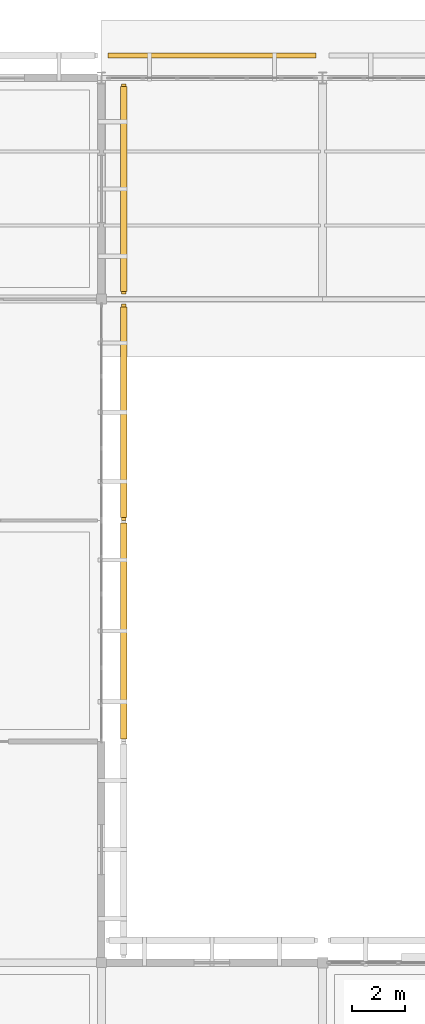
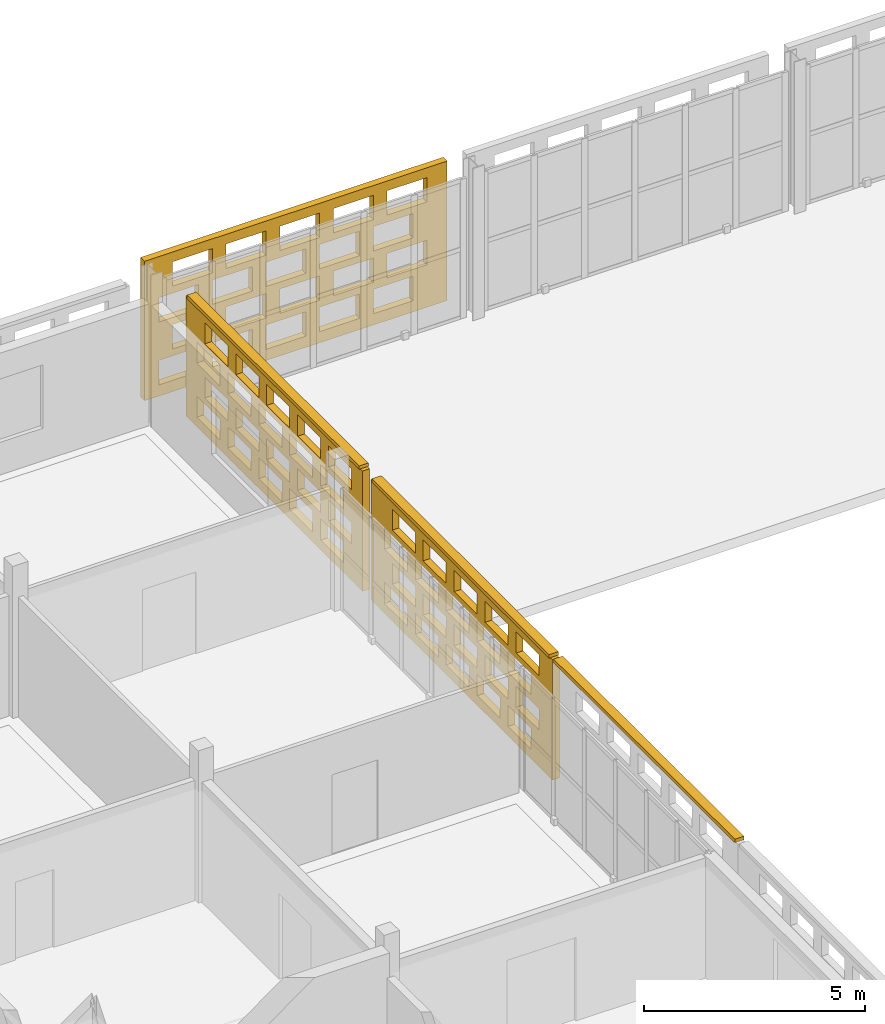
# One storey, part 146 of 166: 3 coverings, 3 shading devices, 60 openings.
"""IFC4 building model written with IfcOpenShell, lengths in metres."""

from ifc_helpers import new_model, si_unit, direction, frame, frame_2d, origin, origin_2d, place, context, subcontext, project, spatial, rectangle, extrude, material, layer, layer_set, type_object, element, save


model = new_model("IFC4")

# Units and contexts
model_context = context("Model", 3, precision=1e-05, world=origin(), true_north=direction((0.0, 1.0)))
body_context = subcontext(model_context, "Body", "Model", "MODEL_VIEW")
ifc_project = project(units=[si_unit("LENGTHUNIT", "METRE"), si_unit("AREAUNIT", "SQUARE_METRE"), si_unit("VOLUMEUNIT", "CUBIC_METRE"), si_unit("PLANEANGLEUNIT", "RADIAN"), si_unit("MASSUNIT", "GRAM", prefix="KILO")], contexts=[model_context])

# Site, building, storey
site_placement = place(None, origin())
site = spatial("IfcSite", under=ifc_project, at=site_placement, CompositionType="ELEMENT")
building_placement = place(site_placement, origin())
building = spatial("IfcBuilding", under=site, at=building_placement, Name="Varnapada Polytechnic", CompositionType="ELEMENT")
storey_placement = place(building_placement, frame((0.0, 0.0, 9.60009765625)))
storey = spatial("IfcBuildingStorey", under=building, at=storey_placement, Name="L02", CompositionType="ELEMENT", Elevation=9.60009765625)

# Covering, openings
ifc_material = material(Name="Earth-toned architectural terracotta screen block", Category="masonry")
ifc_layer_1 = layer(ifc_material, 0.1201171875)
ifc_layer_set_1 = layer_set([ifc_layer_1], Name="Earth-toned architectural terracotta screen block")
covering_type = type_object("IfcCoveringType", Name="Terracotta Screen Cladding CLD-01", PredefinedType="CLADDING", material=ifc_layer_set_1)
covering_1_placement = place(storey_placement, frame((68.050048828125, 117.409912109375, 0.0), z_axis=(0.0, 0.0, 1.0), x_axis=(0.0, -1.0, 0.0)))
covering_1 = element("IfcCovering", 1, at=covering_1_placement, inside=storey, type_object=covering_type, Name="L02 perforated terracotta block screen (55)", PredefinedType="CLADDING", context=body_context, shape_type="SweptSolid", body=[
    extrude(rectangle(XDim=8.2099609375, YDim=0.179931640625, at=frame_2d((4.10498046875, 0.0))), origin(), (0.0, 0.0, 1.0), 3.31982421875),
])
opening_1_placement = place(covering_1_placement, frame((0.60498046875, 0.0, 0.265625)))
element("IfcOpeningElement", 2, at=opening_1_placement, cuts=covering_1, Name="Screen perforation TBS-L02-054.1", PredefinedType="OPENING", context=body_context, shape_type="SweptSolid", body=[
    extrude(rectangle(XDim=1.0400390625, YDim=0.5810546875, at=frame_2d((0.52001953125, 0.29052734375))), frame((0.0, 0.099853515625, 0.0), z_axis=(0.0, -1.0, 0.0), x_axis=(1.0, 0.0, 0.0)), (0.0, 0.0, 1.0), 0.199951171875),
])
opening_2_placement = place(covering_1_placement, frame((2.0048828125, 0.0, 0.265625)))
element("IfcOpeningElement", 3, at=opening_2_placement, cuts=covering_1, Name="Screen perforation TBS-L02-054.2", PredefinedType="OPENING", context=body_context, shape_type="SweptSolid", body=[
    extrude(rectangle(XDim=1.0400390625, YDim=0.5810546875, at=frame_2d((0.52001953125, 0.29052734375))), frame((0.0, 0.099853515625, 0.0), z_axis=(0.0, -1.0, 0.0), x_axis=(1.0, 0.0, 0.0)), (0.0, 0.0, 1.0), 0.199951171875),
])
opening_3_placement = place(covering_1_placement, frame((3.405029296875, 0.0, 0.265625)))
element("IfcOpeningElement", 4, at=opening_3_placement, cuts=covering_1, Name="Screen perforation TBS-L02-054.3", PredefinedType="OPENING", context=body_context, shape_type="SweptSolid", body=[
    extrude(rectangle(XDim=1.0400390625, YDim=0.5810546875, at=frame_2d((0.52001953125, 0.29052734375))), frame((0.0, 0.099853515625, 0.0), z_axis=(0.0, -1.0, 0.0), x_axis=(1.0, 0.0, 0.0)), (0.0, 0.0, 1.0), 0.199951171875),
])
opening_4_placement = place(covering_1_placement, frame((4.804931640625, 0.0, 0.265625)))
element("IfcOpeningElement", 5, at=opening_4_placement, cuts=covering_1, Name="Screen perforation TBS-L02-054.4", PredefinedType="OPENING", context=body_context, shape_type="SweptSolid", body=[
    extrude(rectangle(XDim=1.0400390625, YDim=0.5810546875, at=frame_2d((0.52001953125, 0.29052734375))), frame((0.0, 0.099853515625, 0.0), z_axis=(0.0, -1.0, 0.0), x_axis=(1.0, 0.0, 0.0)), (0.0, 0.0, 1.0), 0.199951171875),
])
opening_5_placement = place(covering_1_placement, frame((6.205078125, 0.0, 0.265625)))
element("IfcOpeningElement", 6, at=opening_5_placement, cuts=covering_1, Name="Screen perforation TBS-L02-054.5", PredefinedType="OPENING", context=body_context, shape_type="SweptSolid", body=[
    extrude(rectangle(XDim=1.0400390625, YDim=0.5810546875, at=frame_2d((0.52001953125, 0.29052734375))), frame((0.0, 0.099853515625, 0.0), z_axis=(0.0, -1.0, 0.0), x_axis=(1.0, 0.0, 0.0)), (0.0, 0.0, 1.0), 0.199951171875),
])
opening_6_placement = place(covering_1_placement, frame((0.965087890625, 0.0, 1.0126953125)))
element("IfcOpeningElement", 7, at=opening_6_placement, cuts=covering_1, Name="Screen perforation TBS-L02-054.6", PredefinedType="OPENING", context=body_context, shape_type="SweptSolid", body=[
    extrude(rectangle(XDim=1.0400390625, YDim=0.5810546875, at=frame_2d((0.52001953125, 0.29052734375))), frame((0.0, 0.099853515625, 0.0), z_axis=(0.0, -1.0, 0.0), x_axis=(1.0, 0.0, 0.0)), (0.0, 0.0, 1.0), 0.199951171875),
])
opening_7_placement = place(covering_1_placement, frame((2.364990234375, 0.0, 1.0126953125)))
element("IfcOpeningElement", 8, at=opening_7_placement, cuts=covering_1, Name="Screen perforation TBS-L02-054.7", PredefinedType="OPENING", context=body_context, shape_type="SweptSolid", body=[
    extrude(rectangle(XDim=1.0400390625, YDim=0.5810546875, at=frame_2d((0.52001953125, 0.29052734375))), frame((0.0, 0.099853515625, 0.0), z_axis=(0.0, -1.0, 0.0), x_axis=(1.0, 0.0, 0.0)), (0.0, 0.0, 1.0), 0.199951171875),
])
opening_8_placement = place(covering_1_placement, frame((3.764892578125, 0.0, 1.0126953125)))
element("IfcOpeningElement", 9, at=opening_8_placement, cuts=covering_1, Name="Screen perforation TBS-L02-054.8", PredefinedType="OPENING", context=body_context, shape_type="SweptSolid", body=[
    extrude(rectangle(XDim=1.0400390625, YDim=0.5810546875, at=frame_2d((0.52001953125, 0.29052734375))), frame((0.0, 0.099853515625, 0.0), z_axis=(0.0, -1.0, 0.0), x_axis=(1.0, 0.0, 0.0)), (0.0, 0.0, 1.0), 0.199951171875),
])
opening_9_placement = place(covering_1_placement, frame((5.1650390625, 0.0, 1.0126953125)))
element("IfcOpeningElement", 10, at=opening_9_placement, cuts=covering_1, Name="Screen perforation TBS-L02-054.9", PredefinedType="OPENING", context=body_context, shape_type="SweptSolid", body=[
    extrude(rectangle(XDim=1.0400390625, YDim=0.5810546875, at=frame_2d((0.52001953125, 0.29052734375))), frame((0.0, 0.099853515625, 0.0), z_axis=(0.0, -1.0, 0.0), x_axis=(1.0, 0.0, 0.0)), (0.0, 0.0, 1.0), 0.199951171875),
])
opening_10_placement = place(covering_1_placement, frame((6.56494140625, 0.0, 1.0126953125)))
element("IfcOpeningElement", 11, at=opening_10_placement, cuts=covering_1, Name="Screen perforation TBS-L02-054.10", PredefinedType="OPENING", context=body_context, shape_type="SweptSolid", body=[
    extrude(rectangle(XDim=1.0400390625, YDim=0.5810546875, at=frame_2d((0.52001953125, 0.29052734375))), frame((0.0, 0.099853515625, 0.0), z_axis=(0.0, -1.0, 0.0), x_axis=(1.0, 0.0, 0.0)), (0.0, 0.0, 1.0), 0.199951171875),
])
opening_11_placement = place(covering_1_placement, frame((0.60498046875, 0.0, 1.759521484375)))
element("IfcOpeningElement", 12, at=opening_11_placement, cuts=covering_1, Name="Screen perforation TBS-L02-054.11", PredefinedType="OPENING", context=body_context, shape_type="SweptSolid", body=[
    extrude(rectangle(XDim=1.0400390625, YDim=0.5810546875, at=frame_2d((0.52001953125, 0.29052734375))), frame((0.0, 0.099853515625, 0.0), z_axis=(0.0, -1.0, 0.0), x_axis=(1.0, 0.0, 0.0)), (0.0, 0.0, 1.0), 0.199951171875),
])
opening_12_placement = place(covering_1_placement, frame((2.0048828125, 0.0, 1.759521484375)))
element("IfcOpeningElement", 13, at=opening_12_placement, cuts=covering_1, Name="Screen perforation TBS-L02-054.12", PredefinedType="OPENING", context=body_context, shape_type="SweptSolid", body=[
    extrude(rectangle(XDim=1.0400390625, YDim=0.5810546875, at=frame_2d((0.52001953125, 0.29052734375))), frame((0.0, 0.099853515625, 0.0), z_axis=(0.0, -1.0, 0.0), x_axis=(1.0, 0.0, 0.0)), (0.0, 0.0, 1.0), 0.199951171875),
])
opening_13_placement = place(covering_1_placement, frame((3.405029296875, 0.0, 1.759521484375)))
element("IfcOpeningElement", 14, at=opening_13_placement, cuts=covering_1, Name="Screen perforation TBS-L02-054.13", PredefinedType="OPENING", context=body_context, shape_type="SweptSolid", body=[
    extrude(rectangle(XDim=1.0400390625, YDim=0.5810546875, at=frame_2d((0.52001953125, 0.29052734375))), frame((0.0, 0.099853515625, 0.0), z_axis=(0.0, -1.0, 0.0), x_axis=(1.0, 0.0, 0.0)), (0.0, 0.0, 1.0), 0.199951171875),
])
opening_14_placement = place(covering_1_placement, frame((4.804931640625, 0.0, 1.759521484375)))
element("IfcOpeningElement", 15, at=opening_14_placement, cuts=covering_1, Name="Screen perforation TBS-L02-054.14", PredefinedType="OPENING", context=body_context, shape_type="SweptSolid", body=[
    extrude(rectangle(XDim=1.0400390625, YDim=0.5810546875, at=frame_2d((0.52001953125, 0.29052734375))), frame((0.0, 0.099853515625, 0.0), z_axis=(0.0, -1.0, 0.0), x_axis=(1.0, 0.0, 0.0)), (0.0, 0.0, 1.0), 0.199951171875),
])
opening_15_placement = place(covering_1_placement, frame((6.205078125, 0.0, 1.759521484375)))
element("IfcOpeningElement", 16, at=opening_15_placement, cuts=covering_1, Name="Screen perforation TBS-L02-054.15", PredefinedType="OPENING", context=body_context, shape_type="SweptSolid", body=[
    extrude(rectangle(XDim=1.0400390625, YDim=0.5810546875, at=frame_2d((0.52001953125, 0.29052734375))), frame((0.0, 0.099853515625, 0.0), z_axis=(0.0, -1.0, 0.0), x_axis=(1.0, 0.0, 0.0)), (0.0, 0.0, 1.0), 0.199951171875),
])
opening_16_placement = place(covering_1_placement, frame((0.965087890625, 0.0, 2.506591796875)))
element("IfcOpeningElement", 17, at=opening_16_placement, cuts=covering_1, Name="Screen perforation TBS-L02-054.16", PredefinedType="OPENING", context=body_context, shape_type="SweptSolid", body=[
    extrude(rectangle(XDim=1.0400390625, YDim=0.5810546875, at=frame_2d((0.52001953125, 0.29052734375))), frame((0.0, 0.099853515625, 0.0), z_axis=(0.0, -1.0, 0.0), x_axis=(1.0, 0.0, 0.0)), (0.0, 0.0, 1.0), 0.199951171875),
])
opening_17_placement = place(covering_1_placement, frame((2.364990234375, 0.0, 2.506591796875)))
element("IfcOpeningElement", 18, at=opening_17_placement, cuts=covering_1, Name="Screen perforation TBS-L02-054.17", PredefinedType="OPENING", context=body_context, shape_type="SweptSolid", body=[
    extrude(rectangle(XDim=1.0400390625, YDim=0.5810546875, at=frame_2d((0.52001953125, 0.29052734375))), frame((0.0, 0.099853515625, 0.0), z_axis=(0.0, -1.0, 0.0), x_axis=(1.0, 0.0, 0.0)), (0.0, 0.0, 1.0), 0.199951171875),
])
opening_18_placement = place(covering_1_placement, frame((3.764892578125, 0.0, 2.506591796875)))
element("IfcOpeningElement", 19, at=opening_18_placement, cuts=covering_1, Name="Screen perforation TBS-L02-054.18", PredefinedType="OPENING", context=body_context, shape_type="SweptSolid", body=[
    extrude(rectangle(XDim=1.0400390625, YDim=0.5810546875, at=frame_2d((0.52001953125, 0.29052734375))), frame((0.0, 0.099853515625, 0.0), z_axis=(0.0, -1.0, 0.0), x_axis=(1.0, 0.0, 0.0)), (0.0, 0.0, 1.0), 0.199951171875),
])
opening_19_placement = place(covering_1_placement, frame((5.1650390625, 0.0, 2.506591796875)))
element("IfcOpeningElement", 20, at=opening_19_placement, cuts=covering_1, Name="Screen perforation TBS-L02-054.19", PredefinedType="OPENING", context=body_context, shape_type="SweptSolid", body=[
    extrude(rectangle(XDim=1.0400390625, YDim=0.5810546875, at=frame_2d((0.52001953125, 0.29052734375))), frame((0.0, 0.099853515625, 0.0), z_axis=(0.0, -1.0, 0.0), x_axis=(1.0, 0.0, 0.0)), (0.0, 0.0, 1.0), 0.199951171875),
])
opening_20_placement = place(covering_1_placement, frame((6.56494140625, 0.0, 2.506591796875)))
element("IfcOpeningElement", 21, at=opening_20_placement, cuts=covering_1, Name="Screen perforation TBS-L02-054.20", PredefinedType="OPENING", context=body_context, shape_type="SweptSolid", body=[
    extrude(rectangle(XDim=1.0400390625, YDim=0.5810546875, at=frame_2d((0.52001953125, 0.29052734375))), frame((0.0, 0.099853515625, 0.0), z_axis=(0.0, -1.0, 0.0), x_axis=(1.0, 0.0, 0.0)), (0.0, 0.0, 1.0), 0.199951171875),
])

covering_2_placement = place(storey_placement, frame((68.050048828125, 125.77490234375, 0.0), z_axis=(0.0, 0.0, 1.0), x_axis=(0.0, -1.0, 0.0)))
covering_2 = element("IfcCovering", 22, at=covering_2_placement, inside=storey, type_object=covering_type, Name="L02 perforated terracotta block screen (57)", PredefinedType="CLADDING", context=body_context, shape_type="SweptSolid", body=[
    extrude(rectangle(XDim=7.98486328125, YDim=0.179931640625, at=frame_2d((3.992431640625, 0.0))), origin(), (0.0, 0.0, 1.0), 3.31982421875),
])
opening_21_placement = place(covering_2_placement, frame((0.492431640625, 0.0, 0.265625)))
element("IfcOpeningElement", 23, at=opening_21_placement, cuts=covering_2, Name="Screen perforation TBS-L02-056.1", PredefinedType="OPENING", context=body_context, shape_type="SweptSolid", body=[
    extrude(rectangle(XDim=1.0400390625, YDim=0.5810546875, at=frame_2d((0.52001953125, 0.29052734375))), frame((0.0, 0.099853515625, 0.0), z_axis=(0.0, -1.0, 0.0), x_axis=(1.0, 0.0, 0.0)), (0.0, 0.0, 1.0), 0.199951171875),
])
opening_22_placement = place(covering_2_placement, frame((1.892578125, 0.0, 0.265625)))
element("IfcOpeningElement", 24, at=opening_22_placement, cuts=covering_2, Name="Screen perforation TBS-L02-056.2", PredefinedType="OPENING", context=body_context, shape_type="SweptSolid", body=[
    extrude(rectangle(XDim=1.0400390625, YDim=0.5810546875, at=frame_2d((0.52001953125, 0.29052734375))), frame((0.0, 0.099853515625, 0.0), z_axis=(0.0, -1.0, 0.0), x_axis=(1.0, 0.0, 0.0)), (0.0, 0.0, 1.0), 0.199951171875),
])
opening_23_placement = place(covering_2_placement, frame((3.29248046875, 0.0, 0.265625)))
element("IfcOpeningElement", 25, at=opening_23_placement, cuts=covering_2, Name="Screen perforation TBS-L02-056.3", PredefinedType="OPENING", context=body_context, shape_type="SweptSolid", body=[
    extrude(rectangle(XDim=1.0400390625, YDim=0.5810546875, at=frame_2d((0.52001953125, 0.29052734375))), frame((0.0, 0.099853515625, 0.0), z_axis=(0.0, -1.0, 0.0), x_axis=(1.0, 0.0, 0.0)), (0.0, 0.0, 1.0), 0.199951171875),
])
opening_24_placement = place(covering_2_placement, frame((4.6923828125, 0.0, 0.265625)))
element("IfcOpeningElement", 26, at=opening_24_placement, cuts=covering_2, Name="Screen perforation TBS-L02-056.4", PredefinedType="OPENING", context=body_context, shape_type="SweptSolid", body=[
    extrude(rectangle(XDim=1.0400390625, YDim=0.5810546875, at=frame_2d((0.52001953125, 0.29052734375))), frame((0.0, 0.099853515625, 0.0), z_axis=(0.0, -1.0, 0.0), x_axis=(1.0, 0.0, 0.0)), (0.0, 0.0, 1.0), 0.199951171875),
])
opening_25_placement = place(covering_2_placement, frame((6.092529296875, 0.0, 0.265625)))
element("IfcOpeningElement", 27, at=opening_25_placement, cuts=covering_2, Name="Screen perforation TBS-L02-056.5", PredefinedType="OPENING", context=body_context, shape_type="SweptSolid", body=[
    extrude(rectangle(XDim=1.0400390625, YDim=0.5810546875, at=frame_2d((0.52001953125, 0.29052734375))), frame((0.0, 0.099853515625, 0.0), z_axis=(0.0, -1.0, 0.0), x_axis=(1.0, 0.0, 0.0)), (0.0, 0.0, 1.0), 0.199951171875),
])
opening_26_placement = place(covering_2_placement, frame((0.8525390625, 0.0, 1.0126953125)))
element("IfcOpeningElement", 28, at=opening_26_placement, cuts=covering_2, Name="Screen perforation TBS-L02-056.6", PredefinedType="OPENING", context=body_context, shape_type="SweptSolid", body=[
    extrude(rectangle(XDim=1.0400390625, YDim=0.5810546875, at=frame_2d((0.52001953125, 0.29052734375))), frame((0.0, 0.099853515625, 0.0), z_axis=(0.0, -1.0, 0.0), x_axis=(1.0, 0.0, 0.0)), (0.0, 0.0, 1.0), 0.199951171875),
])
opening_27_placement = place(covering_2_placement, frame((2.25244140625, 0.0, 1.0126953125)))
element("IfcOpeningElement", 29, at=opening_27_placement, cuts=covering_2, Name="Screen perforation TBS-L02-056.7", PredefinedType="OPENING", context=body_context, shape_type="SweptSolid", body=[
    extrude(rectangle(XDim=1.0400390625, YDim=0.5810546875, at=frame_2d((0.52001953125, 0.29052734375))), frame((0.0, 0.099853515625, 0.0), z_axis=(0.0, -1.0, 0.0), x_axis=(1.0, 0.0, 0.0)), (0.0, 0.0, 1.0), 0.199951171875),
])
opening_28_placement = place(covering_2_placement, frame((3.652587890625, 0.0, 1.0126953125)))
element("IfcOpeningElement", 30, at=opening_28_placement, cuts=covering_2, Name="Screen perforation TBS-L02-056.8", PredefinedType="OPENING", context=body_context, shape_type="SweptSolid", body=[
    extrude(rectangle(XDim=1.0400390625, YDim=0.5810546875, at=frame_2d((0.52001953125, 0.29052734375))), frame((0.0, 0.099853515625, 0.0), z_axis=(0.0, -1.0, 0.0), x_axis=(1.0, 0.0, 0.0)), (0.0, 0.0, 1.0), 0.199951171875),
])
opening_29_placement = place(covering_2_placement, frame((5.052490234375, 0.0, 1.0126953125)))
element("IfcOpeningElement", 31, at=opening_29_placement, cuts=covering_2, Name="Screen perforation TBS-L02-056.9", PredefinedType="OPENING", context=body_context, shape_type="SweptSolid", body=[
    extrude(rectangle(XDim=1.0400390625, YDim=0.5810546875, at=frame_2d((0.52001953125, 0.29052734375))), frame((0.0, 0.099853515625, 0.0), z_axis=(0.0, -1.0, 0.0), x_axis=(1.0, 0.0, 0.0)), (0.0, 0.0, 1.0), 0.199951171875),
])
opening_30_placement = place(covering_2_placement, frame((6.452392578125, 0.0, 1.0126953125)))
element("IfcOpeningElement", 32, at=opening_30_placement, cuts=covering_2, Name="Screen perforation TBS-L02-056.10", PredefinedType="OPENING", context=body_context, shape_type="SweptSolid", body=[
    extrude(rectangle(XDim=1.0400390625, YDim=0.5810546875, at=frame_2d((0.52001953125, 0.29052734375))), frame((0.0, 0.099853515625, 0.0), z_axis=(0.0, -1.0, 0.0), x_axis=(1.0, 0.0, 0.0)), (0.0, 0.0, 1.0), 0.199951171875),
])
opening_31_placement = place(covering_2_placement, frame((0.492431640625, 0.0, 1.759521484375)))
element("IfcOpeningElement", 33, at=opening_31_placement, cuts=covering_2, Name="Screen perforation TBS-L02-056.11", PredefinedType="OPENING", context=body_context, shape_type="SweptSolid", body=[
    extrude(rectangle(XDim=1.0400390625, YDim=0.5810546875, at=frame_2d((0.52001953125, 0.29052734375))), frame((0.0, 0.099853515625, 0.0), z_axis=(0.0, -1.0, 0.0), x_axis=(1.0, 0.0, 0.0)), (0.0, 0.0, 1.0), 0.199951171875),
])
opening_32_placement = place(covering_2_placement, frame((1.892578125, 0.0, 1.759521484375)))
element("IfcOpeningElement", 34, at=opening_32_placement, cuts=covering_2, Name="Screen perforation TBS-L02-056.12", PredefinedType="OPENING", context=body_context, shape_type="SweptSolid", body=[
    extrude(rectangle(XDim=1.0400390625, YDim=0.5810546875, at=frame_2d((0.52001953125, 0.29052734375))), frame((0.0, 0.099853515625, 0.0), z_axis=(0.0, -1.0, 0.0), x_axis=(1.0, 0.0, 0.0)), (0.0, 0.0, 1.0), 0.199951171875),
])
opening_33_placement = place(covering_2_placement, frame((3.29248046875, 0.0, 1.759521484375)))
element("IfcOpeningElement", 35, at=opening_33_placement, cuts=covering_2, Name="Screen perforation TBS-L02-056.13", PredefinedType="OPENING", context=body_context, shape_type="SweptSolid", body=[
    extrude(rectangle(XDim=1.0400390625, YDim=0.5810546875, at=frame_2d((0.52001953125, 0.29052734375))), frame((0.0, 0.099853515625, 0.0), z_axis=(0.0, -1.0, 0.0), x_axis=(1.0, 0.0, 0.0)), (0.0, 0.0, 1.0), 0.199951171875),
])
opening_34_placement = place(covering_2_placement, frame((4.6923828125, 0.0, 1.759521484375)))
element("IfcOpeningElement", 36, at=opening_34_placement, cuts=covering_2, Name="Screen perforation TBS-L02-056.14", PredefinedType="OPENING", context=body_context, shape_type="SweptSolid", body=[
    extrude(rectangle(XDim=1.0400390625, YDim=0.5810546875, at=frame_2d((0.52001953125, 0.29052734375))), frame((0.0, 0.099853515625, 0.0), z_axis=(0.0, -1.0, 0.0), x_axis=(1.0, 0.0, 0.0)), (0.0, 0.0, 1.0), 0.199951171875),
])
opening_35_placement = place(covering_2_placement, frame((6.092529296875, 0.0, 1.759521484375)))
element("IfcOpeningElement", 37, at=opening_35_placement, cuts=covering_2, Name="Screen perforation TBS-L02-056.15", PredefinedType="OPENING", context=body_context, shape_type="SweptSolid", body=[
    extrude(rectangle(XDim=1.0400390625, YDim=0.5810546875, at=frame_2d((0.52001953125, 0.29052734375))), frame((0.0, 0.099853515625, 0.0), z_axis=(0.0, -1.0, 0.0), x_axis=(1.0, 0.0, 0.0)), (0.0, 0.0, 1.0), 0.199951171875),
])
opening_36_placement = place(covering_2_placement, frame((0.8525390625, 0.0, 2.506591796875)))
element("IfcOpeningElement", 38, at=opening_36_placement, cuts=covering_2, Name="Screen perforation TBS-L02-056.16", PredefinedType="OPENING", context=body_context, shape_type="SweptSolid", body=[
    extrude(rectangle(XDim=1.0400390625, YDim=0.5810546875, at=frame_2d((0.52001953125, 0.29052734375))), frame((0.0, 0.099853515625, 0.0), z_axis=(0.0, -1.0, 0.0), x_axis=(1.0, 0.0, 0.0)), (0.0, 0.0, 1.0), 0.199951171875),
])
opening_37_placement = place(covering_2_placement, frame((2.25244140625, 0.0, 2.506591796875)))
element("IfcOpeningElement", 39, at=opening_37_placement, cuts=covering_2, Name="Screen perforation TBS-L02-056.17", PredefinedType="OPENING", context=body_context, shape_type="SweptSolid", body=[
    extrude(rectangle(XDim=1.0400390625, YDim=0.5810546875, at=frame_2d((0.52001953125, 0.29052734375))), frame((0.0, 0.099853515625, 0.0), z_axis=(0.0, -1.0, 0.0), x_axis=(1.0, 0.0, 0.0)), (0.0, 0.0, 1.0), 0.199951171875),
])
opening_38_placement = place(covering_2_placement, frame((3.652587890625, 0.0, 2.506591796875)))
element("IfcOpeningElement", 40, at=opening_38_placement, cuts=covering_2, Name="Screen perforation TBS-L02-056.18", PredefinedType="OPENING", context=body_context, shape_type="SweptSolid", body=[
    extrude(rectangle(XDim=1.0400390625, YDim=0.5810546875, at=frame_2d((0.52001953125, 0.29052734375))), frame((0.0, 0.099853515625, 0.0), z_axis=(0.0, -1.0, 0.0), x_axis=(1.0, 0.0, 0.0)), (0.0, 0.0, 1.0), 0.199951171875),
])
opening_39_placement = place(covering_2_placement, frame((5.052490234375, 0.0, 2.506591796875)))
element("IfcOpeningElement", 41, at=opening_39_placement, cuts=covering_2, Name="Screen perforation TBS-L02-056.19", PredefinedType="OPENING", context=body_context, shape_type="SweptSolid", body=[
    extrude(rectangle(XDim=1.0400390625, YDim=0.5810546875, at=frame_2d((0.52001953125, 0.29052734375))), frame((0.0, 0.099853515625, 0.0), z_axis=(0.0, -1.0, 0.0), x_axis=(1.0, 0.0, 0.0)), (0.0, 0.0, 1.0), 0.199951171875),
])
opening_40_placement = place(covering_2_placement, frame((6.452392578125, 0.0, 2.506591796875)))
element("IfcOpeningElement", 42, at=opening_40_placement, cuts=covering_2, Name="Screen perforation TBS-L02-056.20", PredefinedType="OPENING", context=body_context, shape_type="SweptSolid", body=[
    extrude(rectangle(XDim=1.0400390625, YDim=0.5810546875, at=frame_2d((0.52001953125, 0.29052734375))), frame((0.0, 0.099853515625, 0.0), z_axis=(0.0, -1.0, 0.0), x_axis=(1.0, 0.0, 0.0)), (0.0, 0.0, 1.0), 0.199951171875),
])

covering_3_placement = place(storey_placement, frame((67.449951171875, 126.85009765625, 0.0), z_axis=(0.0, 0.0, 1.0), x_axis=(1.0, 0.0, 0.0)))
covering_3 = element("IfcCovering", 43, at=covering_3_placement, inside=storey, type_object=covering_type, Name="L02 high-bay workshop north terracotta screen 9", PredefinedType="CLADDING", context=body_context, shape_type="SweptSolid", body=[
    extrude(rectangle(XDim=7.900146484375, YDim=0.179931640625, at=frame_2d((3.9501953125, 0.0))), origin(), (0.0, 0.0, 1.0), 3.849853515625),
])
opening_41_placement = place(covering_3_placement, frame((0.3701171875, 0.0, 0.30810546875)))
element("IfcOpeningElement", 44, at=opening_41_placement, cuts=covering_3, Name="Screen perforation TBS-WK-L02-08.1", PredefinedType="OPENING", context=body_context, shape_type="SweptSolid", body=[
    extrude(rectangle(XDim=1.0400390625, YDim=0.673583984375, at=frame_2d((0.52001953125, 0.3369140625))), frame((0.0, 0.099853515625, 0.0), z_axis=(0.0, -1.0, 0.0), x_axis=(1.0, 0.0, 0.0)), (0.0, 0.0, 1.0), 0.199951171875),
])
opening_42_placement = place(covering_3_placement, frame((1.77001953125, 0.0, 0.30810546875)))
element("IfcOpeningElement", 45, at=opening_42_placement, cuts=covering_3, Name="Screen perforation TBS-WK-L02-08.2", PredefinedType="OPENING", context=body_context, shape_type="SweptSolid", body=[
    extrude(rectangle(XDim=1.0400390625, YDim=0.673583984375, at=frame_2d((0.52001953125, 0.3369140625))), frame((0.0, 0.099853515625, 0.0), z_axis=(0.0, -1.0, 0.0), x_axis=(1.0, 0.0, 0.0)), (0.0, 0.0, 1.0), 0.199951171875),
])
opening_43_placement = place(covering_3_placement, frame((3.169921875, 0.0, 0.30810546875)))
element("IfcOpeningElement", 46, at=opening_43_placement, cuts=covering_3, Name="Screen perforation TBS-WK-L02-08.3", PredefinedType="OPENING", context=body_context, shape_type="SweptSolid", body=[
    extrude(rectangle(XDim=1.0400390625, YDim=0.673583984375, at=frame_2d((0.52001953125, 0.3369140625))), frame((0.0, 0.099853515625, 0.0), z_axis=(0.0, -1.0, 0.0), x_axis=(1.0, 0.0, 0.0)), (0.0, 0.0, 1.0), 0.199951171875),
])
opening_44_placement = place(covering_3_placement, frame((4.570068359375, 0.0, 0.30810546875)))
element("IfcOpeningElement", 47, at=opening_44_placement, cuts=covering_3, Name="Screen perforation TBS-WK-L02-08.4", PredefinedType="OPENING", context=body_context, shape_type="SweptSolid", body=[
    extrude(rectangle(XDim=1.0400390625, YDim=0.673583984375, at=frame_2d((0.52001953125, 0.3369140625))), frame((0.0, 0.099853515625, 0.0), z_axis=(0.0, -1.0, 0.0), x_axis=(1.0, 0.0, 0.0)), (0.0, 0.0, 1.0), 0.199951171875),
])
opening_45_placement = place(covering_3_placement, frame((5.969970703125, 0.0, 0.30810546875)))
element("IfcOpeningElement", 48, at=opening_45_placement, cuts=covering_3, Name="Screen perforation TBS-WK-L02-08.5", PredefinedType="OPENING", context=body_context, shape_type="SweptSolid", body=[
    extrude(rectangle(XDim=1.0400390625, YDim=0.673583984375, at=frame_2d((0.52001953125, 0.3369140625))), frame((0.0, 0.099853515625, 0.0), z_axis=(0.0, -1.0, 0.0), x_axis=(1.0, 0.0, 0.0)), (0.0, 0.0, 1.0), 0.199951171875),
])
opening_46_placement = place(covering_3_placement, frame((0.72998046875, 0.0, 1.17431640625)))
element("IfcOpeningElement", 49, at=opening_46_placement, cuts=covering_3, Name="Screen perforation TBS-WK-L02-08.6", PredefinedType="OPENING", context=body_context, shape_type="SweptSolid", body=[
    extrude(rectangle(XDim=1.0400390625, YDim=0.673583984375, at=frame_2d((0.52001953125, 0.3369140625))), frame((0.0, 0.099853515625, 0.0), z_axis=(0.0, -1.0, 0.0), x_axis=(1.0, 0.0, 0.0)), (0.0, 0.0, 1.0), 0.199951171875),
])
opening_47_placement = place(covering_3_placement, frame((2.1298828125, 0.0, 1.17431640625)))
element("IfcOpeningElement", 50, at=opening_47_placement, cuts=covering_3, Name="Screen perforation TBS-WK-L02-08.7", PredefinedType="OPENING", context=body_context, shape_type="SweptSolid", body=[
    extrude(rectangle(XDim=1.0400390625, YDim=0.673583984375, at=frame_2d((0.52001953125, 0.3369140625))), frame((0.0, 0.099853515625, 0.0), z_axis=(0.0, -1.0, 0.0), x_axis=(1.0, 0.0, 0.0)), (0.0, 0.0, 1.0), 0.199951171875),
])
opening_48_placement = place(covering_3_placement, frame((3.530029296875, 0.0, 1.17431640625)))
element("IfcOpeningElement", 51, at=opening_48_placement, cuts=covering_3, Name="Screen perforation TBS-WK-L02-08.8", PredefinedType="OPENING", context=body_context, shape_type="SweptSolid", body=[
    extrude(rectangle(XDim=1.0400390625, YDim=0.673583984375, at=frame_2d((0.52001953125, 0.3369140625))), frame((0.0, 0.099853515625, 0.0), z_axis=(0.0, -1.0, 0.0), x_axis=(1.0, 0.0, 0.0)), (0.0, 0.0, 1.0), 0.199951171875),
])
opening_49_placement = place(covering_3_placement, frame((4.929931640625, 0.0, 1.17431640625)))
element("IfcOpeningElement", 52, at=opening_49_placement, cuts=covering_3, Name="Screen perforation TBS-WK-L02-08.9", PredefinedType="OPENING", context=body_context, shape_type="SweptSolid", body=[
    extrude(rectangle(XDim=1.0400390625, YDim=0.673583984375, at=frame_2d((0.52001953125, 0.3369140625))), frame((0.0, 0.099853515625, 0.0), z_axis=(0.0, -1.0, 0.0), x_axis=(1.0, 0.0, 0.0)), (0.0, 0.0, 1.0), 0.199951171875),
])
opening_50_placement = place(covering_3_placement, frame((6.330078125, 0.0, 1.17431640625)))
element("IfcOpeningElement", 53, at=opening_50_placement, cuts=covering_3, Name="Screen perforation TBS-WK-L02-08.10", PredefinedType="OPENING", context=body_context, shape_type="SweptSolid", body=[
    extrude(rectangle(XDim=1.0400390625, YDim=0.673583984375, at=frame_2d((0.52001953125, 0.3369140625))), frame((0.0, 0.099853515625, 0.0), z_axis=(0.0, -1.0, 0.0), x_axis=(1.0, 0.0, 0.0)), (0.0, 0.0, 1.0), 0.199951171875),
])
opening_51_placement = place(covering_3_placement, frame((0.3701171875, 0.0, 2.04052734375)))
element("IfcOpeningElement", 54, at=opening_51_placement, cuts=covering_3, Name="Screen perforation TBS-WK-L02-08.11", PredefinedType="OPENING", context=body_context, shape_type="SweptSolid", body=[
    extrude(rectangle(XDim=1.0400390625, YDim=0.673583984375, at=frame_2d((0.52001953125, 0.3369140625))), frame((0.0, 0.099853515625, 0.0), z_axis=(0.0, -1.0, 0.0), x_axis=(1.0, 0.0, 0.0)), (0.0, 0.0, 1.0), 0.199951171875),
])
opening_52_placement = place(covering_3_placement, frame((1.77001953125, 0.0, 2.04052734375)))
element("IfcOpeningElement", 55, at=opening_52_placement, cuts=covering_3, Name="Screen perforation TBS-WK-L02-08.12", PredefinedType="OPENING", context=body_context, shape_type="SweptSolid", body=[
    extrude(rectangle(XDim=1.0400390625, YDim=0.673583984375, at=frame_2d((0.52001953125, 0.3369140625))), frame((0.0, 0.099853515625, 0.0), z_axis=(0.0, -1.0, 0.0), x_axis=(1.0, 0.0, 0.0)), (0.0, 0.0, 1.0), 0.199951171875),
])
opening_53_placement = place(covering_3_placement, frame((3.169921875, 0.0, 2.04052734375)))
element("IfcOpeningElement", 56, at=opening_53_placement, cuts=covering_3, Name="Screen perforation TBS-WK-L02-08.13", PredefinedType="OPENING", context=body_context, shape_type="SweptSolid", body=[
    extrude(rectangle(XDim=1.0400390625, YDim=0.673583984375, at=frame_2d((0.52001953125, 0.3369140625))), frame((0.0, 0.099853515625, 0.0), z_axis=(0.0, -1.0, 0.0), x_axis=(1.0, 0.0, 0.0)), (0.0, 0.0, 1.0), 0.199951171875),
])
opening_54_placement = place(covering_3_placement, frame((4.570068359375, 0.0, 2.04052734375)))
element("IfcOpeningElement", 57, at=opening_54_placement, cuts=covering_3, Name="Screen perforation TBS-WK-L02-08.14", PredefinedType="OPENING", context=body_context, shape_type="SweptSolid", body=[
    extrude(rectangle(XDim=1.0400390625, YDim=0.673583984375, at=frame_2d((0.52001953125, 0.3369140625))), frame((0.0, 0.099853515625, 0.0), z_axis=(0.0, -1.0, 0.0), x_axis=(1.0, 0.0, 0.0)), (0.0, 0.0, 1.0), 0.199951171875),
])
opening_55_placement = place(covering_3_placement, frame((5.969970703125, 0.0, 2.04052734375)))
element("IfcOpeningElement", 58, at=opening_55_placement, cuts=covering_3, Name="Screen perforation TBS-WK-L02-08.15", PredefinedType="OPENING", context=body_context, shape_type="SweptSolid", body=[
    extrude(rectangle(XDim=1.0400390625, YDim=0.673583984375, at=frame_2d((0.52001953125, 0.3369140625))), frame((0.0, 0.099853515625, 0.0), z_axis=(0.0, -1.0, 0.0), x_axis=(1.0, 0.0, 0.0)), (0.0, 0.0, 1.0), 0.199951171875),
])
opening_56_placement = place(covering_3_placement, frame((0.72998046875, 0.0, 2.90673828125)))
element("IfcOpeningElement", 59, at=opening_56_placement, cuts=covering_3, Name="Screen perforation TBS-WK-L02-08.16", PredefinedType="OPENING", context=body_context, shape_type="SweptSolid", body=[
    extrude(rectangle(XDim=1.0400390625, YDim=0.673583984375, at=frame_2d((0.52001953125, 0.3369140625))), frame((0.0, 0.099853515625, 0.0), z_axis=(0.0, -1.0, 0.0), x_axis=(1.0, 0.0, 0.0)), (0.0, 0.0, 1.0), 0.199951171875),
])
opening_57_placement = place(covering_3_placement, frame((2.1298828125, 0.0, 2.90673828125)))
element("IfcOpeningElement", 60, at=opening_57_placement, cuts=covering_3, Name="Screen perforation TBS-WK-L02-08.17", PredefinedType="OPENING", context=body_context, shape_type="SweptSolid", body=[
    extrude(rectangle(XDim=1.0400390625, YDim=0.673583984375, at=frame_2d((0.52001953125, 0.3369140625))), frame((0.0, 0.099853515625, 0.0), z_axis=(0.0, -1.0, 0.0), x_axis=(1.0, 0.0, 0.0)), (0.0, 0.0, 1.0), 0.199951171875),
])
opening_58_placement = place(covering_3_placement, frame((3.530029296875, 0.0, 2.90673828125)))
element("IfcOpeningElement", 61, at=opening_58_placement, cuts=covering_3, Name="Screen perforation TBS-WK-L02-08.18", PredefinedType="OPENING", context=body_context, shape_type="SweptSolid", body=[
    extrude(rectangle(XDim=1.0400390625, YDim=0.673583984375, at=frame_2d((0.52001953125, 0.3369140625))), frame((0.0, 0.099853515625, 0.0), z_axis=(0.0, -1.0, 0.0), x_axis=(1.0, 0.0, 0.0)), (0.0, 0.0, 1.0), 0.199951171875),
])
opening_59_placement = place(covering_3_placement, frame((4.929931640625, 0.0, 2.90673828125)))
element("IfcOpeningElement", 62, at=opening_59_placement, cuts=covering_3, Name="Screen perforation TBS-WK-L02-08.19", PredefinedType="OPENING", context=body_context, shape_type="SweptSolid", body=[
    extrude(rectangle(XDim=1.0400390625, YDim=0.673583984375, at=frame_2d((0.52001953125, 0.3369140625))), frame((0.0, 0.099853515625, 0.0), z_axis=(0.0, -1.0, 0.0), x_axis=(1.0, 0.0, 0.0)), (0.0, 0.0, 1.0), 0.199951171875),
])
opening_60_placement = place(covering_3_placement, frame((6.330078125, 0.0, 2.90673828125)))
element("IfcOpeningElement", 63, at=opening_60_placement, cuts=covering_3, Name="Screen perforation TBS-WK-L02-08.20", PredefinedType="OPENING", context=body_context, shape_type="SweptSolid", body=[
    extrude(rectangle(XDim=1.0400390625, YDim=0.673583984375, at=frame_2d((0.52001953125, 0.3369140625))), frame((0.0, 0.099853515625, 0.0), z_axis=(0.0, -1.0, 0.0), x_axis=(1.0, 0.0, 0.0)), (0.0, 0.0, 1.0), 0.199951171875),
])

# Shading devices
ifc_layer_2 = layer(ifc_material, 0.179931640625)
ifc_layer_set_2 = layer_set([ifc_layer_2], Name="Earth-toned architectural terracotta screen block")
shading_device_type = type_object("IfcShadingDeviceType", Name="Terracotta Screen SCR-01", PredefinedType="USERDEFINED", material=ifc_layer_set_2)
shading_device_1_placement = place(storey_placement, frame((68.050048828125, 105.0, 3.309814453125), z_axis=(0.0, 0.0, 1.0), x_axis=(0.0, -1.0, 0.0)))
element("IfcShadingDevice", 64, at=shading_device_1_placement, inside=storey, type_object=shading_device_type, Name="L02 perforated terracotta screen hood 279", ObjectType="SCREEN", PredefinedType="USERDEFINED", context=body_context, shape_type="SweptSolid", body=[
    extrude(rectangle(XDim=8.199951171875, YDim=0.239990234375, at=origin_2d()), origin(), (0.0, 0.0, 1.0), 0.10009765625),
])
shading_device_2_placement = place(storey_placement, frame((68.050048828125, 113.304931640625, 3.309814453125), z_axis=(0.0, 0.0, 1.0), x_axis=(0.0, -1.0, 0.0)))
element("IfcShadingDevice", 65, at=shading_device_2_placement, inside=storey, type_object=shading_device_type, Name="L02 perforated terracotta screen hood 280", ObjectType="SCREEN", PredefinedType="USERDEFINED", context=body_context, shape_type="SweptSolid", body=[
    extrude(rectangle(XDim=8.010009765625, YDim=0.239990234375, at=origin_2d()), origin(), (0.0, 0.0, 1.0), 0.10009765625),
])
shading_device_3_placement = place(storey_placement, frame((68.050048828125, 121.782470703125, 3.309814453125), z_axis=(0.0, 0.0, 1.0), x_axis=(0.0, -1.0, 0.0)))
element("IfcShadingDevice", 66, at=shading_device_3_placement, inside=storey, type_object=shading_device_type, Name="L02 perforated terracotta screen hood 282", ObjectType="SCREEN", PredefinedType="USERDEFINED", context=body_context, shape_type="SweptSolid", body=[
    extrude(rectangle(XDim=7.784912109375, YDim=0.239990234375, at=origin_2d()), origin(), (0.0, 0.0, 1.0), 0.10009765625),
])

save(model, "model.ifc")
